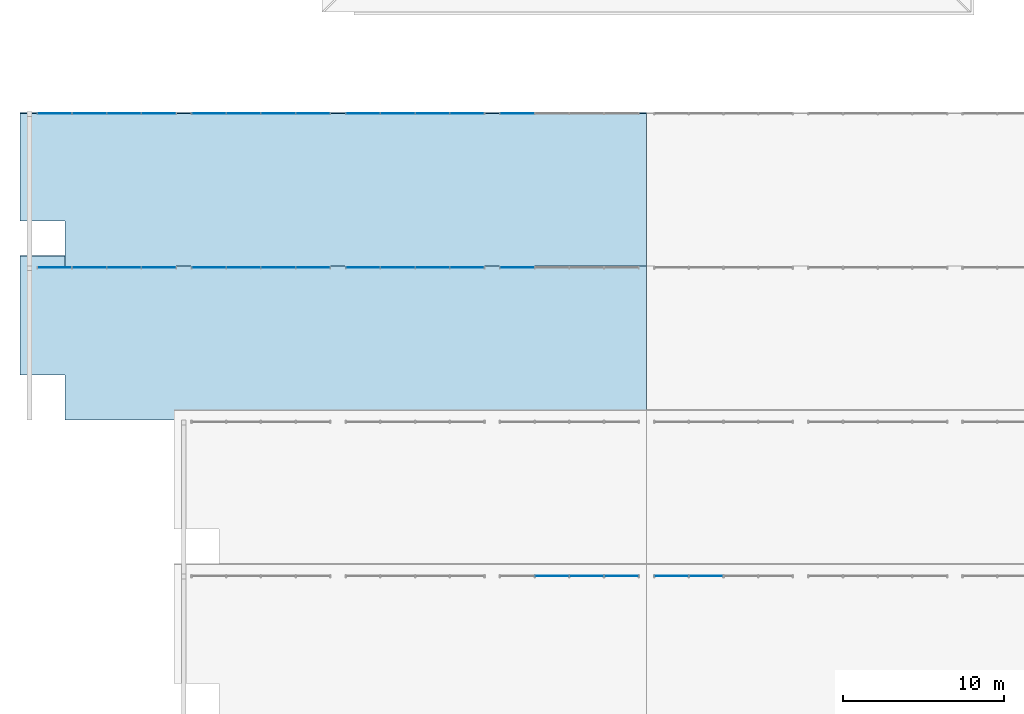
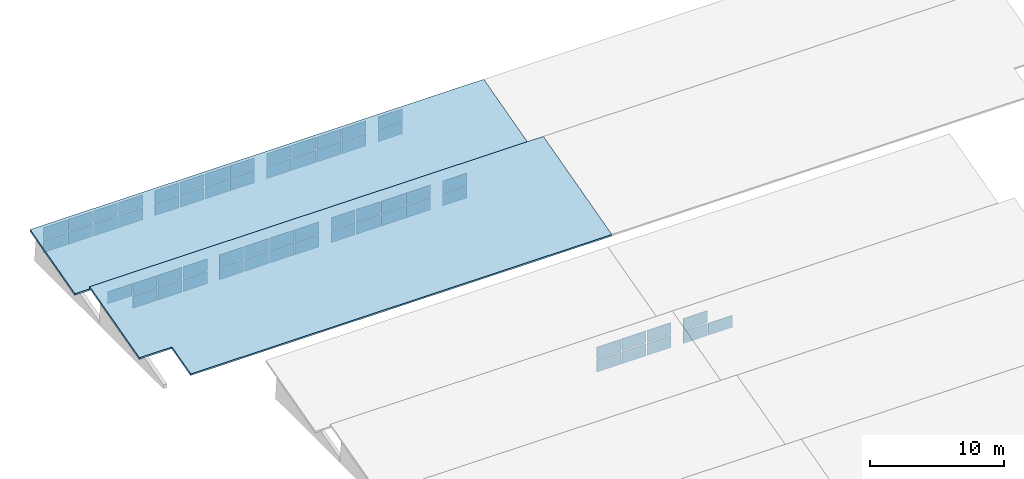
# One storey, part 13 of 18: 60 plates, 2 slabs, 10 elements without a shape of their own.
"""IFC4 building model written with IfcOpenShell, lengths in metres."""

from ifc_helpers import new_model, si_unit, direction, frame, origin, origin_2d, place, context, subcontext, project, spatial, polyline, rectangle, outline, extrude, material, layer, layer_set, type_object, element, aggregate, save


model = new_model("IFC4")

# Units and contexts
model_context = context("Model", 3, precision=1e-05, world=origin(), true_north=direction((0.0, 1.0)))
body_context = subcontext(model_context, "Body", "Model", "MODEL_VIEW")
ifc_project = project(units=[si_unit("LENGTHUNIT", "METRE"), si_unit("AREAUNIT", "SQUARE_METRE"), si_unit("VOLUMEUNIT", "CUBIC_METRE"), si_unit("PLANEANGLEUNIT", "RADIAN"), si_unit("MASSUNIT", "GRAM", prefix="KILO")], contexts=[model_context])

# Site, building, storey
site_placement = place(None, origin())
site = spatial("IfcSite", under=ifc_project, at=site_placement, CompositionType="ELEMENT")
building_placement = place(site_placement, origin())
building = spatial("IfcBuilding", under=site, at=building_placement, Name="Bempovik Park Faculty of Sciences", CompositionType="ELEMENT")
storey_placement = place(building_placement, frame((0.0, 0.0, 50.10009765625)))
storey = spatial("IfcBuildingStorey", under=building, at=storey_placement, Name="Roof", CompositionType="ELEMENT", Elevation=50.10009765625)

# Curtain wall, plates
ifc_material_1 = material(Name="Tempered laminated low-E glass", Category="glass")
ifc_layer_1 = layer(ifc_material_1, 0.159912109375)
ifc_layer_set_1 = layer_set([ifc_layer_1], Name="Tempered laminated low-E glass")
curtain_wall_type_1 = type_object("IfcCurtainWallType", Name="CW-53 Curtain 8000x2550", PredefinedType="USERDEFINED", material=ifc_layer_set_1)
curtain_wall_1_placement = place(storey_placement, origin())
curtain_wall_1 = element("IfcCurtainWall", 1, at=curtain_wall_1_placement, inside=storey, type_object=curtain_wall_type_1, Name="V1 Sawtooth North-Light Clerestory Bay 4 (79.2-88.8)", ObjectType="NORTH LIGHT CLERESTORY", PredefinedType="USERDEFINED")
ifc_layer_2 = layer(ifc_material_1, 0.031982421875)
ifc_layer_set_2 = layer_set([ifc_layer_2], Name="Tempered laminated low-E glass")
plate_type = type_object("IfcPlateType", Name="CP-23 Curtain Panel 32mm", PredefinedType="CURTAIN_PANEL", material=ifc_layer_set_2)
plate_1_placement = place(storey_placement, frame((82.919921875, 58.080078125, -30.16015625), z_axis=(0.0, 0.0, 1.0), x_axis=(1.0, 0.0, 0.0)))
plate_1 = element("IfcPlate", 2, at=plate_1_placement, type_object=plate_type, Name="CW-NL-V1-B4-792 Panel 1-0", PredefinedType="CURTAIN_PANEL", context=body_context, shape_type="SweptSolid", body=[
    extrude(rectangle(XDim=2.080078125, YDim=0.035888671875, at=origin_2d()), origin(), (0.0, 0.0, 1.0), 1.09619140625),
])
plate_2_placement = place(storey_placement, frame((82.919921875, 58.080078125, -28.98388671875), z_axis=(0.0, 0.0, 1.0), x_axis=(1.0, 0.0, 0.0)))
plate_2 = element("IfcPlate", 3, at=plate_2_placement, type_object=plate_type, Name="CW-NL-V1-B4-792 Panel 1-1", PredefinedType="CURTAIN_PANEL", context=body_context, shape_type="SweptSolid", body=[
    extrude(rectangle(XDim=2.080078125, YDim=0.035888671875, at=origin_2d()), origin(), (0.0, 0.0, 1.0), 1.09619140625),
])
plate_3_placement = place(storey_placement, frame((85.080078125, 58.080078125, -30.16015625), z_axis=(0.0, 0.0, 1.0), x_axis=(1.0, 0.0, 0.0)))
plate_3 = element("IfcPlate", 4, at=plate_3_placement, type_object=plate_type, Name="CW-NL-V1-B4-792 Panel 2-0", PredefinedType="CURTAIN_PANEL", context=body_context, shape_type="SweptSolid", body=[
    extrude(rectangle(XDim=2.080078125, YDim=0.035888671875, at=origin_2d()), origin(), (0.0, 0.0, 1.0), 1.09619140625),
])
plate_4_placement = place(storey_placement, frame((85.080078125, 58.080078125, -28.98388671875), z_axis=(0.0, 0.0, 1.0), x_axis=(1.0, 0.0, 0.0)))
plate_4 = element("IfcPlate", 5, at=plate_4_placement, type_object=plate_type, Name="CW-NL-V1-B4-792 Panel 2-1", PredefinedType="CURTAIN_PANEL", context=body_context, shape_type="SweptSolid", body=[
    extrude(rectangle(XDim=2.080078125, YDim=0.035888671875, at=origin_2d()), origin(), (0.0, 0.0, 1.0), 1.09619140625),
])
plate_5_placement = place(storey_placement, frame((87.239990234375, 58.080078125, -30.16015625), z_axis=(0.0, 0.0, 1.0), x_axis=(1.0, 0.0, 0.0)))
plate_5 = element("IfcPlate", 6, at=plate_5_placement, type_object=plate_type, Name="CW-NL-V1-B4-792 Panel 3-0", PredefinedType="CURTAIN_PANEL", context=body_context, shape_type="SweptSolid", body=[
    extrude(rectangle(XDim=2.080078125, YDim=0.035888671875, at=origin_2d()), origin(), (0.0, 0.0, 1.0), 1.09619140625),
])
plate_6_placement = place(storey_placement, frame((87.239990234375, 58.080078125, -28.98388671875), z_axis=(0.0, 0.0, 1.0), x_axis=(1.0, 0.0, 0.0)))
plate_6 = element("IfcPlate", 7, at=plate_6_placement, type_object=plate_type, Name="CW-NL-V1-B4-792 Panel 3-1", PredefinedType="CURTAIN_PANEL", context=body_context, shape_type="SweptSolid", body=[
    extrude(rectangle(XDim=2.080078125, YDim=0.035888671875, at=origin_2d()), origin(), (0.0, 0.0, 1.0), 1.09619140625),
])
aggregate(curtain_wall_1, [plate_1, plate_2, plate_3, plate_4, plate_5, plate_6])

curtain_wall_2_placement = place(storey_placement, origin())
curtain_wall_2 = element("IfcCurtainWall", 8, at=curtain_wall_2_placement, inside=storey, type_object=curtain_wall_type_1, Name="V1 Sawtooth North-Light Clerestory Bay 4 (88.8-98.4)", ObjectType="NORTH LIGHT CLERESTORY", PredefinedType="USERDEFINED")
plate_7_placement = place(storey_placement, frame((90.360107421875, 58.080078125, -30.16015625), z_axis=(0.0, 0.0, 1.0), x_axis=(1.0, 0.0, 0.0)))
plate_7 = element("IfcPlate", 9, at=plate_7_placement, type_object=plate_type, Name="CW-NL-V1-B4-888 Panel 0-0", PredefinedType="CURTAIN_PANEL", context=body_context, shape_type="SweptSolid", body=[
    extrude(rectangle(XDim=2.080078125, YDim=0.035888671875, at=origin_2d()), origin(), (0.0, 0.0, 1.0), 1.09619140625),
])
plate_8_placement = place(storey_placement, frame((90.360107421875, 58.080078125, -28.98388671875), z_axis=(0.0, 0.0, 1.0), x_axis=(1.0, 0.0, 0.0)))
plate_8 = element("IfcPlate", 10, at=plate_8_placement, type_object=plate_type, Name="CW-NL-V1-B4-888 Panel 0-1", PredefinedType="CURTAIN_PANEL", context=body_context, shape_type="SweptSolid", body=[
    extrude(rectangle(XDim=2.080078125, YDim=0.035888671875, at=origin_2d()), origin(), (0.0, 0.0, 1.0), 1.09619140625),
])
plate_9_placement = place(storey_placement, frame((92.52001953125, 58.080078125, -30.16015625), z_axis=(0.0, 0.0, 1.0), x_axis=(1.0, 0.0, 0.0)))
plate_9 = element("IfcPlate", 11, at=plate_9_placement, type_object=plate_type, Name="CW-NL-V1-B4-888 Panel 1-0", PredefinedType="CURTAIN_PANEL", context=body_context, shape_type="SweptSolid", body=[
    extrude(rectangle(XDim=2.080078125, YDim=0.035888671875, at=origin_2d()), origin(), (0.0, 0.0, 1.0), 1.09619140625),
])
aggregate(curtain_wall_2, [plate_7, plate_8, plate_9])

ifc_layer_3 = layer(ifc_material_1, 0.159912109375)
ifc_layer_set_3 = layer_set([ifc_layer_3], Name="Tempered laminated low-E glass")
curtain_wall_type_2 = type_object("IfcCurtainWallType", Name="CW-29 Curtain 6400x2550", PredefinedType="USERDEFINED", material=ifc_layer_set_3)
curtain_wall_3_placement = place(storey_placement, origin())
curtain_wall_3 = element("IfcCurtainWall", 12, at=curtain_wall_3_placement, inside=storey, type_object=curtain_wall_type_2, Name="V2 Atrium Sawtooth North-Light Clerestory Bay 1 (50.4-60.0)", ObjectType="NORTH LIGHT CLERESTORY", PredefinedType="USERDEFINED")
plate_10_placement = place(storey_placement, frame((51.9599609375, 77.280029296875, -24.75390625), z_axis=(0.0, 0.0, 1.0), x_axis=(1.0, 0.0, 0.0)))
plate_10 = element("IfcPlate", 13, at=plate_10_placement, type_object=plate_type, Name="CW-NL-V2-B1-504 Panel 0-1", PredefinedType="CURTAIN_PANEL", context=body_context, shape_type="SweptSolid", body=[
    extrude(rectangle(XDim=2.080078125, YDim=0.035888671875, at=origin_2d()), origin(), (0.0, 0.0, 1.0), 1.09619140625),
])
plate_11_placement = place(storey_placement, frame((54.1201171875, 77.280029296875, -25.93017578125), z_axis=(0.0, 0.0, 1.0), x_axis=(1.0, 0.0, 0.0)))
plate_11 = element("IfcPlate", 14, at=plate_11_placement, type_object=plate_type, Name="CW-NL-V2-B1-504 Panel 1-0", PredefinedType="CURTAIN_PANEL", context=body_context, shape_type="SweptSolid", body=[
    extrude(rectangle(XDim=2.080078125, YDim=0.035888671875, at=origin_2d()), origin(), (0.0, 0.0, 1.0), 1.09619140625),
])
plate_12_placement = place(storey_placement, frame((54.1201171875, 77.280029296875, -24.75390625), z_axis=(0.0, 0.0, 1.0), x_axis=(1.0, 0.0, 0.0)))
plate_12 = element("IfcPlate", 15, at=plate_12_placement, type_object=plate_type, Name="CW-NL-V2-B1-504 Panel 1-1", PredefinedType="CURTAIN_PANEL", context=body_context, shape_type="SweptSolid", body=[
    extrude(rectangle(XDim=2.080078125, YDim=0.035888671875, at=origin_2d()), origin(), (0.0, 0.0, 1.0), 1.09619140625),
])
plate_13_placement = place(storey_placement, frame((56.280029296875, 77.280029296875, -25.93017578125), z_axis=(0.0, 0.0, 1.0), x_axis=(1.0, 0.0, 0.0)))
plate_13 = element("IfcPlate", 16, at=plate_13_placement, type_object=plate_type, Name="CW-NL-V2-B1-504 Panel 2-0", PredefinedType="CURTAIN_PANEL", context=body_context, shape_type="SweptSolid", body=[
    extrude(rectangle(XDim=2.080078125, YDim=0.035888671875, at=origin_2d()), origin(), (0.0, 0.0, 1.0), 1.09619140625),
])
plate_14_placement = place(storey_placement, frame((56.280029296875, 77.280029296875, -24.75390625), z_axis=(0.0, 0.0, 1.0), x_axis=(1.0, 0.0, 0.0)))
plate_14 = element("IfcPlate", 17, at=plate_14_placement, type_object=plate_type, Name="CW-NL-V2-B1-504 Panel 2-1", PredefinedType="CURTAIN_PANEL", context=body_context, shape_type="SweptSolid", body=[
    extrude(rectangle(XDim=2.080078125, YDim=0.035888671875, at=origin_2d()), origin(), (0.0, 0.0, 1.0), 1.09619140625),
])
plate_15_placement = place(storey_placement, frame((58.43994140625, 77.280029296875, -25.93017578125), z_axis=(0.0, 0.0, 1.0), x_axis=(1.0, 0.0, 0.0)))
plate_15 = element("IfcPlate", 18, at=plate_15_placement, type_object=plate_type, Name="CW-NL-V2-B1-504 Panel 3-0", PredefinedType="CURTAIN_PANEL", context=body_context, shape_type="SweptSolid", body=[
    extrude(rectangle(XDim=2.080078125, YDim=0.035888671875, at=origin_2d()), origin(), (0.0, 0.0, 1.0), 1.09619140625),
])
plate_16_placement = place(storey_placement, frame((58.43994140625, 77.280029296875, -24.75390625), z_axis=(0.0, 0.0, 1.0), x_axis=(1.0, 0.0, 0.0)))
plate_16 = element("IfcPlate", 19, at=plate_16_placement, type_object=plate_type, Name="CW-NL-V2-B1-504 Panel 3-1", PredefinedType="CURTAIN_PANEL", context=body_context, shape_type="SweptSolid", body=[
    extrude(rectangle(XDim=2.080078125, YDim=0.035888671875, at=origin_2d()), origin(), (0.0, 0.0, 1.0), 1.09619140625),
])
aggregate(curtain_wall_3, [plate_10, plate_11, plate_12, plate_13, plate_14, plate_15, plate_16])

ifc_layer_4 = layer(ifc_material_1, 0.159912109375)
ifc_layer_set_4 = layer_set([ifc_layer_4], Name="Tempered laminated low-E glass")
curtain_wall_type_3 = type_object("IfcCurtainWallType", Name="CW-15 Curtain 8000x2550", PredefinedType="USERDEFINED", material=ifc_layer_set_4)
curtain_wall_4_placement = place(storey_placement, origin())
curtain_wall_4 = element("IfcCurtainWall", 20, at=curtain_wall_4_placement, inside=storey, type_object=curtain_wall_type_3, Name="V2 Atrium Sawtooth North-Light Clerestory Bay 1 (60.0-69.6)", ObjectType="NORTH LIGHT CLERESTORY", PredefinedType="USERDEFINED")
plate_17_placement = place(storey_placement, frame((61.56005859375, 77.280029296875, -25.93017578125), z_axis=(0.0, 0.0, 1.0), x_axis=(1.0, 0.0, 0.0)))
plate_17 = element("IfcPlate", 21, at=plate_17_placement, type_object=plate_type, Name="CW-NL-V2-B1-600 Panel 0-0", PredefinedType="CURTAIN_PANEL", context=body_context, shape_type="SweptSolid", body=[
    extrude(rectangle(XDim=2.080078125, YDim=0.035888671875, at=origin_2d()), origin(), (0.0, 0.0, 1.0), 1.09619140625),
])
plate_18_placement = place(storey_placement, frame((61.56005859375, 77.280029296875, -24.75390625), z_axis=(0.0, 0.0, 1.0), x_axis=(1.0, 0.0, 0.0)))
plate_18 = element("IfcPlate", 22, at=plate_18_placement, type_object=plate_type, Name="CW-NL-V2-B1-600 Panel 0-1", PredefinedType="CURTAIN_PANEL", context=body_context, shape_type="SweptSolid", body=[
    extrude(rectangle(XDim=2.080078125, YDim=0.035888671875, at=origin_2d()), origin(), (0.0, 0.0, 1.0), 1.09619140625),
])
plate_19_placement = place(storey_placement, frame((63.719970703125, 77.280029296875, -25.93017578125), z_axis=(0.0, 0.0, 1.0), x_axis=(1.0, 0.0, 0.0)))
plate_19 = element("IfcPlate", 23, at=plate_19_placement, type_object=plate_type, Name="CW-NL-V2-B1-600 Panel 1-0", PredefinedType="CURTAIN_PANEL", context=body_context, shape_type="SweptSolid", body=[
    extrude(rectangle(XDim=2.080078125, YDim=0.035888671875, at=origin_2d()), origin(), (0.0, 0.0, 1.0), 1.09619140625),
])
plate_20_placement = place(storey_placement, frame((63.719970703125, 77.280029296875, -24.75390625), z_axis=(0.0, 0.0, 1.0), x_axis=(1.0, 0.0, 0.0)))
plate_20 = element("IfcPlate", 24, at=plate_20_placement, type_object=plate_type, Name="CW-NL-V2-B1-600 Panel 1-1", PredefinedType="CURTAIN_PANEL", context=body_context, shape_type="SweptSolid", body=[
    extrude(rectangle(XDim=2.080078125, YDim=0.035888671875, at=origin_2d()), origin(), (0.0, 0.0, 1.0), 1.09619140625),
])
plate_21_placement = place(storey_placement, frame((65.8798828125, 77.280029296875, -25.93017578125), z_axis=(0.0, 0.0, 1.0), x_axis=(1.0, 0.0, 0.0)))
plate_21 = element("IfcPlate", 25, at=plate_21_placement, type_object=plate_type, Name="CW-NL-V2-B1-600 Panel 2-0", PredefinedType="CURTAIN_PANEL", context=body_context, shape_type="SweptSolid", body=[
    extrude(rectangle(XDim=2.080078125, YDim=0.035888671875, at=origin_2d()), origin(), (0.0, 0.0, 1.0), 1.09619140625),
])
plate_22_placement = place(storey_placement, frame((65.8798828125, 77.280029296875, -24.75390625), z_axis=(0.0, 0.0, 1.0), x_axis=(1.0, 0.0, 0.0)))
plate_22 = element("IfcPlate", 26, at=plate_22_placement, type_object=plate_type, Name="CW-NL-V2-B1-600 Panel 2-1", PredefinedType="CURTAIN_PANEL", context=body_context, shape_type="SweptSolid", body=[
    extrude(rectangle(XDim=2.080078125, YDim=0.035888671875, at=origin_2d()), origin(), (0.0, 0.0, 1.0), 1.09619140625),
])
plate_23_placement = place(storey_placement, frame((68.0400390625, 77.280029296875, -25.93017578125), z_axis=(0.0, 0.0, 1.0), x_axis=(1.0, 0.0, 0.0)))
plate_23 = element("IfcPlate", 27, at=plate_23_placement, type_object=plate_type, Name="CW-NL-V2-B1-600 Panel 3-0", PredefinedType="CURTAIN_PANEL", context=body_context, shape_type="SweptSolid", body=[
    extrude(rectangle(XDim=2.080078125, YDim=0.035888671875, at=origin_2d()), origin(), (0.0, 0.0, 1.0), 1.09619140625),
])
plate_24_placement = place(storey_placement, frame((68.0400390625, 77.280029296875, -24.75390625), z_axis=(0.0, 0.0, 1.0), x_axis=(1.0, 0.0, 0.0)))
plate_24 = element("IfcPlate", 28, at=plate_24_placement, type_object=plate_type, Name="CW-NL-V2-B1-600 Panel 3-1", PredefinedType="CURTAIN_PANEL", context=body_context, shape_type="SweptSolid", body=[
    extrude(rectangle(XDim=2.080078125, YDim=0.035888671875, at=origin_2d()), origin(), (0.0, 0.0, 1.0), 1.09619140625),
])
aggregate(curtain_wall_4, [plate_17, plate_18, plate_19, plate_20, plate_21, plate_22, plate_23, plate_24])

curtain_wall_5_placement = place(storey_placement, origin())
curtain_wall_5 = element("IfcCurtainWall", 29, at=curtain_wall_5_placement, inside=storey, type_object=curtain_wall_type_3, Name="V2 Atrium Sawtooth North-Light Clerestory Bay 1 (69.6-79.2)", ObjectType="NORTH LIGHT CLERESTORY", PredefinedType="USERDEFINED")
plate_25_placement = place(storey_placement, frame((71.159912109375, 77.280029296875, -25.93017578125), z_axis=(0.0, 0.0, 1.0), x_axis=(1.0, 0.0, 0.0)))
plate_25 = element("IfcPlate", 30, at=plate_25_placement, type_object=plate_type, Name="CW-NL-V2-B1-696 Panel 0-0", PredefinedType="CURTAIN_PANEL", context=body_context, shape_type="SweptSolid", body=[
    extrude(rectangle(XDim=2.080078125, YDim=0.035888671875, at=origin_2d()), origin(), (0.0, 0.0, 1.0), 1.09619140625),
])
plate_26_placement = place(storey_placement, frame((71.159912109375, 77.280029296875, -24.75390625), z_axis=(0.0, 0.0, 1.0), x_axis=(1.0, 0.0, 0.0)))
plate_26 = element("IfcPlate", 31, at=plate_26_placement, type_object=plate_type, Name="CW-NL-V2-B1-696 Panel 0-1", PredefinedType="CURTAIN_PANEL", context=body_context, shape_type="SweptSolid", body=[
    extrude(rectangle(XDim=2.080078125, YDim=0.035888671875, at=origin_2d()), origin(), (0.0, 0.0, 1.0), 1.09619140625),
])
plate_27_placement = place(storey_placement, frame((73.320068359375, 77.280029296875, -25.93017578125), z_axis=(0.0, 0.0, 1.0), x_axis=(1.0, 0.0, 0.0)))
plate_27 = element("IfcPlate", 32, at=plate_27_placement, type_object=plate_type, Name="CW-NL-V2-B1-696 Panel 1-0", PredefinedType="CURTAIN_PANEL", context=body_context, shape_type="SweptSolid", body=[
    extrude(rectangle(XDim=2.080078125, YDim=0.035888671875, at=origin_2d()), origin(), (0.0, 0.0, 1.0), 1.09619140625),
])
plate_28_placement = place(storey_placement, frame((73.320068359375, 77.280029296875, -24.75390625), z_axis=(0.0, 0.0, 1.0), x_axis=(1.0, 0.0, 0.0)))
plate_28 = element("IfcPlate", 33, at=plate_28_placement, type_object=plate_type, Name="CW-NL-V2-B1-696 Panel 1-1", PredefinedType="CURTAIN_PANEL", context=body_context, shape_type="SweptSolid", body=[
    extrude(rectangle(XDim=2.080078125, YDim=0.035888671875, at=origin_2d()), origin(), (0.0, 0.0, 1.0), 1.09619140625),
])
plate_29_placement = place(storey_placement, frame((75.47998046875, 77.280029296875, -25.93017578125), z_axis=(0.0, 0.0, 1.0), x_axis=(1.0, 0.0, 0.0)))
plate_29 = element("IfcPlate", 34, at=plate_29_placement, type_object=plate_type, Name="CW-NL-V2-B1-696 Panel 2-0", PredefinedType="CURTAIN_PANEL", context=body_context, shape_type="SweptSolid", body=[
    extrude(rectangle(XDim=2.080078125, YDim=0.035888671875, at=origin_2d()), origin(), (0.0, 0.0, 1.0), 1.09619140625),
])
plate_30_placement = place(storey_placement, frame((75.47998046875, 77.280029296875, -24.75390625), z_axis=(0.0, 0.0, 1.0), x_axis=(1.0, 0.0, 0.0)))
plate_30 = element("IfcPlate", 35, at=plate_30_placement, type_object=plate_type, Name="CW-NL-V2-B1-696 Panel 2-1", PredefinedType="CURTAIN_PANEL", context=body_context, shape_type="SweptSolid", body=[
    extrude(rectangle(XDim=2.080078125, YDim=0.035888671875, at=origin_2d()), origin(), (0.0, 0.0, 1.0), 1.09619140625),
])
plate_31_placement = place(storey_placement, frame((77.639892578125, 77.280029296875, -25.93017578125), z_axis=(0.0, 0.0, 1.0), x_axis=(1.0, 0.0, 0.0)))
plate_31 = element("IfcPlate", 36, at=plate_31_placement, type_object=plate_type, Name="CW-NL-V2-B1-696 Panel 3-0", PredefinedType="CURTAIN_PANEL", context=body_context, shape_type="SweptSolid", body=[
    extrude(rectangle(XDim=2.080078125, YDim=0.035888671875, at=origin_2d()), origin(), (0.0, 0.0, 1.0), 1.09619140625),
])
plate_32_placement = place(storey_placement, frame((77.639892578125, 77.280029296875, -24.75390625), z_axis=(0.0, 0.0, 1.0), x_axis=(1.0, 0.0, 0.0)))
plate_32 = element("IfcPlate", 37, at=plate_32_placement, type_object=plate_type, Name="CW-NL-V2-B1-696 Panel 3-1", PredefinedType="CURTAIN_PANEL", context=body_context, shape_type="SweptSolid", body=[
    extrude(rectangle(XDim=2.080078125, YDim=0.035888671875, at=origin_2d()), origin(), (0.0, 0.0, 1.0), 1.09619140625),
])
aggregate(curtain_wall_5, [plate_25, plate_26, plate_27, plate_28, plate_29, plate_30, plate_31, plate_32])

curtain_wall_6_placement = place(storey_placement, origin())
curtain_wall_6 = element("IfcCurtainWall", 38, at=curtain_wall_6_placement, inside=storey, type_object=curtain_wall_type_3, Name="V2 Atrium Sawtooth North-Light Clerestory Bay 1 (79.2-88.8)", ObjectType="NORTH LIGHT CLERESTORY", PredefinedType="USERDEFINED")
plate_33_placement = place(storey_placement, frame((80.760009765625, 77.280029296875, -25.93017578125), z_axis=(0.0, 0.0, 1.0), x_axis=(1.0, 0.0, 0.0)))
plate_33 = element("IfcPlate", 39, at=plate_33_placement, type_object=plate_type, Name="CW-NL-V2-B1-792 Panel 0-0", PredefinedType="CURTAIN_PANEL", context=body_context, shape_type="SweptSolid", body=[
    extrude(rectangle(XDim=2.080078125, YDim=0.035888671875, at=origin_2d()), origin(), (0.0, 0.0, 1.0), 1.09619140625),
])
plate_34_placement = place(storey_placement, frame((80.760009765625, 77.280029296875, -24.75390625), z_axis=(0.0, 0.0, 1.0), x_axis=(1.0, 0.0, 0.0)))
plate_34 = element("IfcPlate", 40, at=plate_34_placement, type_object=plate_type, Name="CW-NL-V2-B1-792 Panel 0-1", PredefinedType="CURTAIN_PANEL", context=body_context, shape_type="SweptSolid", body=[
    extrude(rectangle(XDim=2.080078125, YDim=0.035888671875, at=origin_2d()), origin(), (0.0, 0.0, 1.0), 1.09619140625),
])
aggregate(curtain_wall_6, [plate_33, plate_34])

curtain_wall_7_placement = place(storey_placement, origin())
curtain_wall_7 = element("IfcCurtainWall", 41, at=curtain_wall_7_placement, inside=storey, type_object=curtain_wall_type_2, Name="V2 Atrium Sawtooth North-Light Clerestory Bay 2 (50.4-60.0)", ObjectType="NORTH LIGHT CLERESTORY", PredefinedType="USERDEFINED")
plate_35_placement = place(storey_placement, frame((51.9599609375, 86.8798828125, -25.93017578125), z_axis=(0.0, 0.0, 1.0), x_axis=(1.0, 0.0, 0.0)))
plate_35 = element("IfcPlate", 42, at=plate_35_placement, type_object=plate_type, Name="CW-NL-V2-B2-504 Panel 0-0", PredefinedType="CURTAIN_PANEL", context=body_context, shape_type="SweptSolid", body=[
    extrude(rectangle(XDim=2.080078125, YDim=0.035888671875, at=origin_2d()), origin(), (0.0, 0.0, 1.0), 1.09619140625),
])
plate_36_placement = place(storey_placement, frame((51.9599609375, 86.8798828125, -24.75390625), z_axis=(0.0, 0.0, 1.0), x_axis=(1.0, 0.0, 0.0)))
plate_36 = element("IfcPlate", 43, at=plate_36_placement, type_object=plate_type, Name="CW-NL-V2-B2-504 Panel 0-1", PredefinedType="CURTAIN_PANEL", context=body_context, shape_type="SweptSolid", body=[
    extrude(rectangle(XDim=2.080078125, YDim=0.035888671875, at=origin_2d()), origin(), (0.0, 0.0, 1.0), 1.09619140625),
])
plate_37_placement = place(storey_placement, frame((54.1201171875, 86.8798828125, -25.93017578125), z_axis=(0.0, 0.0, 1.0), x_axis=(1.0, 0.0, 0.0)))
plate_37 = element("IfcPlate", 44, at=plate_37_placement, type_object=plate_type, Name="CW-NL-V2-B2-504 Panel 1-0", PredefinedType="CURTAIN_PANEL", context=body_context, shape_type="SweptSolid", body=[
    extrude(rectangle(XDim=2.080078125, YDim=0.035888671875, at=origin_2d()), origin(), (0.0, 0.0, 1.0), 1.09619140625),
])
plate_38_placement = place(storey_placement, frame((54.1201171875, 86.8798828125, -24.75390625), z_axis=(0.0, 0.0, 1.0), x_axis=(1.0, 0.0, 0.0)))
plate_38 = element("IfcPlate", 45, at=plate_38_placement, type_object=plate_type, Name="CW-NL-V2-B2-504 Panel 1-1", PredefinedType="CURTAIN_PANEL", context=body_context, shape_type="SweptSolid", body=[
    extrude(rectangle(XDim=2.080078125, YDim=0.035888671875, at=origin_2d()), origin(), (0.0, 0.0, 1.0), 1.09619140625),
])
plate_39_placement = place(storey_placement, frame((56.280029296875, 86.8798828125, -25.93017578125), z_axis=(0.0, 0.0, 1.0), x_axis=(1.0, 0.0, 0.0)))
plate_39 = element("IfcPlate", 46, at=plate_39_placement, type_object=plate_type, Name="CW-NL-V2-B2-504 Panel 2-0", PredefinedType="CURTAIN_PANEL", context=body_context, shape_type="SweptSolid", body=[
    extrude(rectangle(XDim=2.080078125, YDim=0.035888671875, at=origin_2d()), origin(), (0.0, 0.0, 1.0), 1.09619140625),
])
plate_40_placement = place(storey_placement, frame((56.280029296875, 86.8798828125, -24.75390625), z_axis=(0.0, 0.0, 1.0), x_axis=(1.0, 0.0, 0.0)))
plate_40 = element("IfcPlate", 47, at=plate_40_placement, type_object=plate_type, Name="CW-NL-V2-B2-504 Panel 2-1", PredefinedType="CURTAIN_PANEL", context=body_context, shape_type="SweptSolid", body=[
    extrude(rectangle(XDim=2.080078125, YDim=0.035888671875, at=origin_2d()), origin(), (0.0, 0.0, 1.0), 1.09619140625),
])
plate_41_placement = place(storey_placement, frame((58.43994140625, 86.8798828125, -25.93017578125), z_axis=(0.0, 0.0, 1.0), x_axis=(1.0, 0.0, 0.0)))
plate_41 = element("IfcPlate", 48, at=plate_41_placement, type_object=plate_type, Name="CW-NL-V2-B2-504 Panel 3-0", PredefinedType="CURTAIN_PANEL", context=body_context, shape_type="SweptSolid", body=[
    extrude(rectangle(XDim=2.080078125, YDim=0.035888671875, at=origin_2d()), origin(), (0.0, 0.0, 1.0), 1.09619140625),
])
plate_42_placement = place(storey_placement, frame((58.43994140625, 86.8798828125, -24.75390625), z_axis=(0.0, 0.0, 1.0), x_axis=(1.0, 0.0, 0.0)))
plate_42 = element("IfcPlate", 49, at=plate_42_placement, type_object=plate_type, Name="CW-NL-V2-B2-504 Panel 3-1", PredefinedType="CURTAIN_PANEL", context=body_context, shape_type="SweptSolid", body=[
    extrude(rectangle(XDim=2.080078125, YDim=0.035888671875, at=origin_2d()), origin(), (0.0, 0.0, 1.0), 1.09619140625),
])
aggregate(curtain_wall_7, [plate_35, plate_36, plate_37, plate_38, plate_39, plate_40, plate_41, plate_42])

curtain_wall_8_placement = place(storey_placement, origin())
curtain_wall_8 = element("IfcCurtainWall", 50, at=curtain_wall_8_placement, inside=storey, type_object=curtain_wall_type_3, Name="V2 Atrium Sawtooth North-Light Clerestory Bay 2 (60.0-69.6)", ObjectType="NORTH LIGHT CLERESTORY", PredefinedType="USERDEFINED")
plate_43_placement = place(storey_placement, frame((61.56005859375, 86.8798828125, -25.93017578125), z_axis=(0.0, 0.0, 1.0), x_axis=(1.0, 0.0, 0.0)))
plate_43 = element("IfcPlate", 51, at=plate_43_placement, type_object=plate_type, Name="CW-NL-V2-B2-600 Panel 0-0", PredefinedType="CURTAIN_PANEL", context=body_context, shape_type="SweptSolid", body=[
    extrude(rectangle(XDim=2.080078125, YDim=0.035888671875, at=origin_2d()), origin(), (0.0, 0.0, 1.0), 1.09619140625),
])
plate_44_placement = place(storey_placement, frame((61.56005859375, 86.8798828125, -24.75390625), z_axis=(0.0, 0.0, 1.0), x_axis=(1.0, 0.0, 0.0)))
plate_44 = element("IfcPlate", 52, at=plate_44_placement, type_object=plate_type, Name="CW-NL-V2-B2-600 Panel 0-1", PredefinedType="CURTAIN_PANEL", context=body_context, shape_type="SweptSolid", body=[
    extrude(rectangle(XDim=2.080078125, YDim=0.035888671875, at=origin_2d()), origin(), (0.0, 0.0, 1.0), 1.09619140625),
])
plate_45_placement = place(storey_placement, frame((63.719970703125, 86.8798828125, -25.93017578125), z_axis=(0.0, 0.0, 1.0), x_axis=(1.0, 0.0, 0.0)))
plate_45 = element("IfcPlate", 53, at=plate_45_placement, type_object=plate_type, Name="CW-NL-V2-B2-600 Panel 1-0", PredefinedType="CURTAIN_PANEL", context=body_context, shape_type="SweptSolid", body=[
    extrude(rectangle(XDim=2.080078125, YDim=0.035888671875, at=origin_2d()), origin(), (0.0, 0.0, 1.0), 1.09619140625),
])
plate_46_placement = place(storey_placement, frame((63.719970703125, 86.8798828125, -24.75390625), z_axis=(0.0, 0.0, 1.0), x_axis=(1.0, 0.0, 0.0)))
plate_46 = element("IfcPlate", 54, at=plate_46_placement, type_object=plate_type, Name="CW-NL-V2-B2-600 Panel 1-1", PredefinedType="CURTAIN_PANEL", context=body_context, shape_type="SweptSolid", body=[
    extrude(rectangle(XDim=2.080078125, YDim=0.035888671875, at=origin_2d()), origin(), (0.0, 0.0, 1.0), 1.09619140625),
])
plate_47_placement = place(storey_placement, frame((65.8798828125, 86.8798828125, -25.93017578125), z_axis=(0.0, 0.0, 1.0), x_axis=(1.0, 0.0, 0.0)))
plate_47 = element("IfcPlate", 55, at=plate_47_placement, type_object=plate_type, Name="CW-NL-V2-B2-600 Panel 2-0", PredefinedType="CURTAIN_PANEL", context=body_context, shape_type="SweptSolid", body=[
    extrude(rectangle(XDim=2.080078125, YDim=0.035888671875, at=origin_2d()), origin(), (0.0, 0.0, 1.0), 1.09619140625),
])
plate_48_placement = place(storey_placement, frame((65.8798828125, 86.8798828125, -24.75390625), z_axis=(0.0, 0.0, 1.0), x_axis=(1.0, 0.0, 0.0)))
plate_48 = element("IfcPlate", 56, at=plate_48_placement, type_object=plate_type, Name="CW-NL-V2-B2-600 Panel 2-1", PredefinedType="CURTAIN_PANEL", context=body_context, shape_type="SweptSolid", body=[
    extrude(rectangle(XDim=2.080078125, YDim=0.035888671875, at=origin_2d()), origin(), (0.0, 0.0, 1.0), 1.09619140625),
])
plate_49_placement = place(storey_placement, frame((68.0400390625, 86.8798828125, -25.93017578125), z_axis=(0.0, 0.0, 1.0), x_axis=(1.0, 0.0, 0.0)))
plate_49 = element("IfcPlate", 57, at=plate_49_placement, type_object=plate_type, Name="CW-NL-V2-B2-600 Panel 3-0", PredefinedType="CURTAIN_PANEL", context=body_context, shape_type="SweptSolid", body=[
    extrude(rectangle(XDim=2.080078125, YDim=0.035888671875, at=origin_2d()), origin(), (0.0, 0.0, 1.0), 1.09619140625),
])
plate_50_placement = place(storey_placement, frame((68.0400390625, 86.8798828125, -24.75390625), z_axis=(0.0, 0.0, 1.0), x_axis=(1.0, 0.0, 0.0)))
plate_50 = element("IfcPlate", 58, at=plate_50_placement, type_object=plate_type, Name="CW-NL-V2-B2-600 Panel 3-1", PredefinedType="CURTAIN_PANEL", context=body_context, shape_type="SweptSolid", body=[
    extrude(rectangle(XDim=2.080078125, YDim=0.035888671875, at=origin_2d()), origin(), (0.0, 0.0, 1.0), 1.09619140625),
])
aggregate(curtain_wall_8, [plate_43, plate_44, plate_45, plate_46, plate_47, plate_48, plate_49, plate_50])

curtain_wall_9_placement = place(storey_placement, origin())
curtain_wall_9 = element("IfcCurtainWall", 59, at=curtain_wall_9_placement, inside=storey, type_object=curtain_wall_type_3, Name="V2 Atrium Sawtooth North-Light Clerestory Bay 2 (69.6-79.2)", ObjectType="NORTH LIGHT CLERESTORY", PredefinedType="USERDEFINED")
plate_51_placement = place(storey_placement, frame((71.159912109375, 86.8798828125, -25.93017578125), z_axis=(0.0, 0.0, 1.0), x_axis=(1.0, 0.0, 0.0)))
plate_51 = element("IfcPlate", 60, at=plate_51_placement, type_object=plate_type, Name="CW-NL-V2-B2-696 Panel 0-0", PredefinedType="CURTAIN_PANEL", context=body_context, shape_type="SweptSolid", body=[
    extrude(rectangle(XDim=2.080078125, YDim=0.035888671875, at=origin_2d()), origin(), (0.0, 0.0, 1.0), 1.09619140625),
])
plate_52_placement = place(storey_placement, frame((71.159912109375, 86.8798828125, -24.75390625), z_axis=(0.0, 0.0, 1.0), x_axis=(1.0, 0.0, 0.0)))
plate_52 = element("IfcPlate", 61, at=plate_52_placement, type_object=plate_type, Name="CW-NL-V2-B2-696 Panel 0-1", PredefinedType="CURTAIN_PANEL", context=body_context, shape_type="SweptSolid", body=[
    extrude(rectangle(XDim=2.080078125, YDim=0.035888671875, at=origin_2d()), origin(), (0.0, 0.0, 1.0), 1.09619140625),
])
plate_53_placement = place(storey_placement, frame((73.320068359375, 86.8798828125, -25.93017578125), z_axis=(0.0, 0.0, 1.0), x_axis=(1.0, 0.0, 0.0)))
plate_53 = element("IfcPlate", 62, at=plate_53_placement, type_object=plate_type, Name="CW-NL-V2-B2-696 Panel 1-0", PredefinedType="CURTAIN_PANEL", context=body_context, shape_type="SweptSolid", body=[
    extrude(rectangle(XDim=2.080078125, YDim=0.035888671875, at=origin_2d()), origin(), (0.0, 0.0, 1.0), 1.09619140625),
])
plate_54_placement = place(storey_placement, frame((73.320068359375, 86.8798828125, -24.75390625), z_axis=(0.0, 0.0, 1.0), x_axis=(1.0, 0.0, 0.0)))
plate_54 = element("IfcPlate", 63, at=plate_54_placement, type_object=plate_type, Name="CW-NL-V2-B2-696 Panel 1-1", PredefinedType="CURTAIN_PANEL", context=body_context, shape_type="SweptSolid", body=[
    extrude(rectangle(XDim=2.080078125, YDim=0.035888671875, at=origin_2d()), origin(), (0.0, 0.0, 1.0), 1.09619140625),
])
plate_55_placement = place(storey_placement, frame((75.47998046875, 86.8798828125, -25.93017578125), z_axis=(0.0, 0.0, 1.0), x_axis=(1.0, 0.0, 0.0)))
plate_55 = element("IfcPlate", 64, at=plate_55_placement, type_object=plate_type, Name="CW-NL-V2-B2-696 Panel 2-0", PredefinedType="CURTAIN_PANEL", context=body_context, shape_type="SweptSolid", body=[
    extrude(rectangle(XDim=2.080078125, YDim=0.035888671875, at=origin_2d()), origin(), (0.0, 0.0, 1.0), 1.09619140625),
])
plate_56_placement = place(storey_placement, frame((75.47998046875, 86.8798828125, -24.75390625), z_axis=(0.0, 0.0, 1.0), x_axis=(1.0, 0.0, 0.0)))
plate_56 = element("IfcPlate", 65, at=plate_56_placement, type_object=plate_type, Name="CW-NL-V2-B2-696 Panel 2-1", PredefinedType="CURTAIN_PANEL", context=body_context, shape_type="SweptSolid", body=[
    extrude(rectangle(XDim=2.080078125, YDim=0.035888671875, at=origin_2d()), origin(), (0.0, 0.0, 1.0), 1.09619140625),
])
plate_57_placement = place(storey_placement, frame((77.639892578125, 86.8798828125, -25.93017578125), z_axis=(0.0, 0.0, 1.0), x_axis=(1.0, 0.0, 0.0)))
plate_57 = element("IfcPlate", 66, at=plate_57_placement, type_object=plate_type, Name="CW-NL-V2-B2-696 Panel 3-0", PredefinedType="CURTAIN_PANEL", context=body_context, shape_type="SweptSolid", body=[
    extrude(rectangle(XDim=2.080078125, YDim=0.035888671875, at=origin_2d()), origin(), (0.0, 0.0, 1.0), 1.09619140625),
])
plate_58_placement = place(storey_placement, frame((77.639892578125, 86.8798828125, -24.75390625), z_axis=(0.0, 0.0, 1.0), x_axis=(1.0, 0.0, 0.0)))
plate_58 = element("IfcPlate", 67, at=plate_58_placement, type_object=plate_type, Name="CW-NL-V2-B2-696 Panel 3-1", PredefinedType="CURTAIN_PANEL", context=body_context, shape_type="SweptSolid", body=[
    extrude(rectangle(XDim=2.080078125, YDim=0.035888671875, at=origin_2d()), origin(), (0.0, 0.0, 1.0), 1.09619140625),
])
aggregate(curtain_wall_9, [plate_51, plate_52, plate_53, plate_54, plate_55, plate_56, plate_57, plate_58])

curtain_wall_10_placement = place(storey_placement, origin())
curtain_wall_10 = element("IfcCurtainWall", 68, at=curtain_wall_10_placement, inside=storey, type_object=curtain_wall_type_3, Name="V2 Atrium Sawtooth North-Light Clerestory Bay 2 (79.2-88.8)", ObjectType="NORTH LIGHT CLERESTORY", PredefinedType="USERDEFINED")
plate_59_placement = place(storey_placement, frame((80.760009765625, 86.8798828125, -25.93017578125), z_axis=(0.0, 0.0, 1.0), x_axis=(1.0, 0.0, 0.0)))
plate_59 = element("IfcPlate", 69, at=plate_59_placement, type_object=plate_type, Name="CW-NL-V2-B2-792 Panel 0-0", PredefinedType="CURTAIN_PANEL", context=body_context, shape_type="SweptSolid", body=[
    extrude(rectangle(XDim=2.080078125, YDim=0.035888671875, at=origin_2d()), origin(), (0.0, 0.0, 1.0), 1.09619140625),
])
plate_60_placement = place(storey_placement, frame((80.760009765625, 86.8798828125, -24.75390625), z_axis=(0.0, 0.0, 1.0), x_axis=(1.0, 0.0, 0.0)))
plate_60 = element("IfcPlate", 70, at=plate_60_placement, type_object=plate_type, Name="CW-NL-V2-B2-792 Panel 0-1", PredefinedType="CURTAIN_PANEL", context=body_context, shape_type="SweptSolid", body=[
    extrude(rectangle(XDim=2.080078125, YDim=0.035888671875, at=origin_2d()), origin(), (0.0, 0.0, 1.0), 1.09619140625),
])
aggregate(curtain_wall_10, [plate_59, plate_60])

# Slabs
ifc_material_2 = material(Name="Concrete C35/45", Category="concrete")
ifc_layer_5 = layer(ifc_material_2, 0.18994140625)
ifc_layer_set_5 = layer_set([ifc_layer_5], Name="Concrete C35/45")
slab_type = type_object("IfcSlabType", Name="S-23 Slab 190mm", PredefinedType="ROOF", material=ifc_layer_set_5)
slab_1_placement = place(storey_placement, frame((52.60009765625, 67.800048828125, -25.97021484375), z_axis=(2.450168e-06, -0.25882535475, 0.965924135599), x_axis=(0.999999999997, 6.34166e-07, -2.366676e-06)))
element("IfcSlab", 71, at=slab_1_placement, inside=storey, type_object=slab_type, Name="Sawtooth 15-deg North-Light Roof Slab V2 Bay 1 (W)", PredefinedType="ROOF", context=body_context, shape_type="SweptSolid", body=[
    extrude(outline(polyline([(0.0, 0.0), (36.199951171766344, 0.0), (36.19995117173273, 10.559788649351473), (-2.8000488281502145, 10.559788649351473), (-2.8000488285848544, 2.8988801395803785), (-4.682591335904244e-10, 2.8988801395803785), (0.0, 0.0)])), origin(), (0.0, 0.0, -1.0), 0.18994140625),
])
slab_2_placement = place(storey_placement, frame((52.60009765625, 77.39990234375, -25.97021484375), z_axis=(2.265129e-06, -0.258830163917, 0.965922846941), x_axis=(0.999999999997, 5.86284e-07, -2.18794e-06)))
element("IfcSlab", 72, at=slab_2_placement, inside=storey, type_object=slab_type, Name="Sawtooth 15-deg North-Light Roof Slab V2 Bay 2 (W)", PredefinedType="ROOF", context=body_context, shape_type="SweptSolid", body=[
    extrude(outline(polyline([(0.0, 0.0), (36.19995117178213, 0.0), (36.1999511717534, 9.814431641200603), (-2.80004882814655, 9.814431641200603), (-2.8000488285180203, 2.8988801404959674), (-4.0020313225786725e-10, 2.8988801404959674), (0.0, 0.0)])), origin(), (0.0, 0.0, -1.0), 0.18994140625),
])

save(model, "model.ifc")
